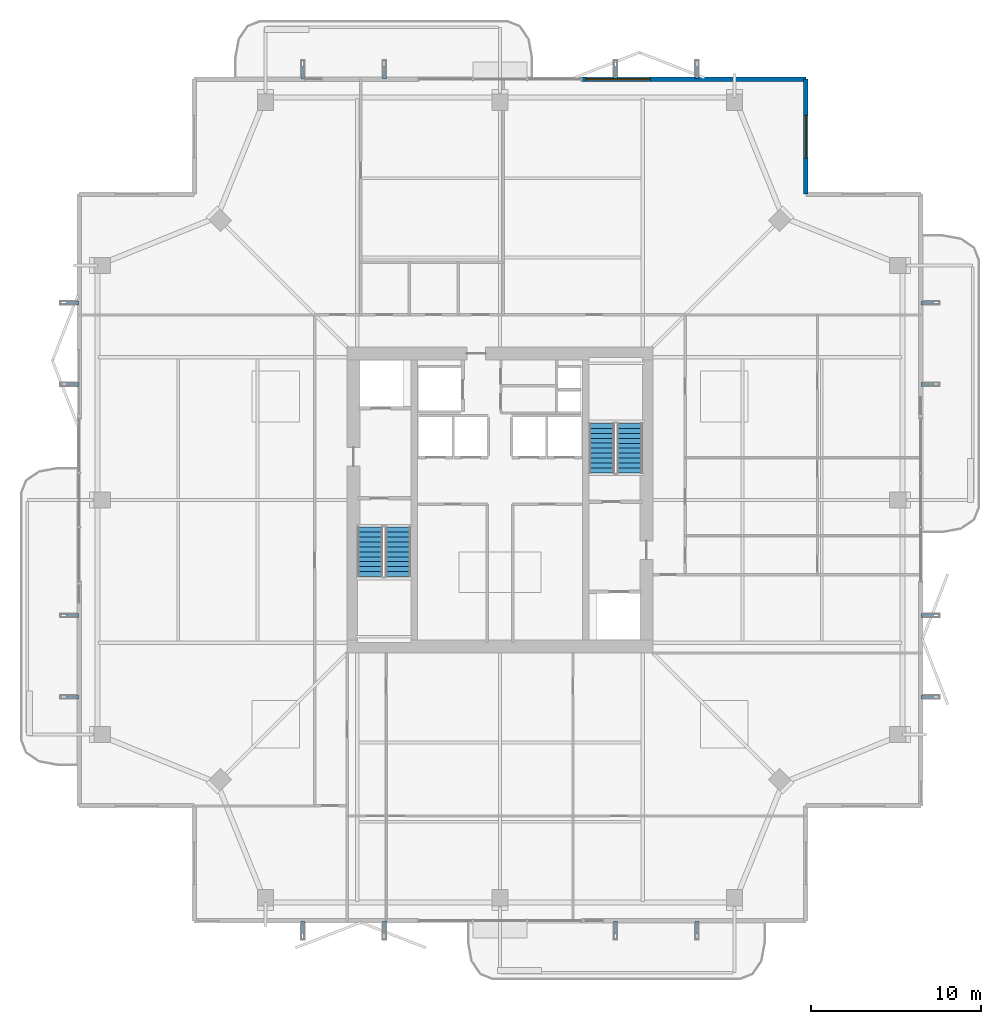
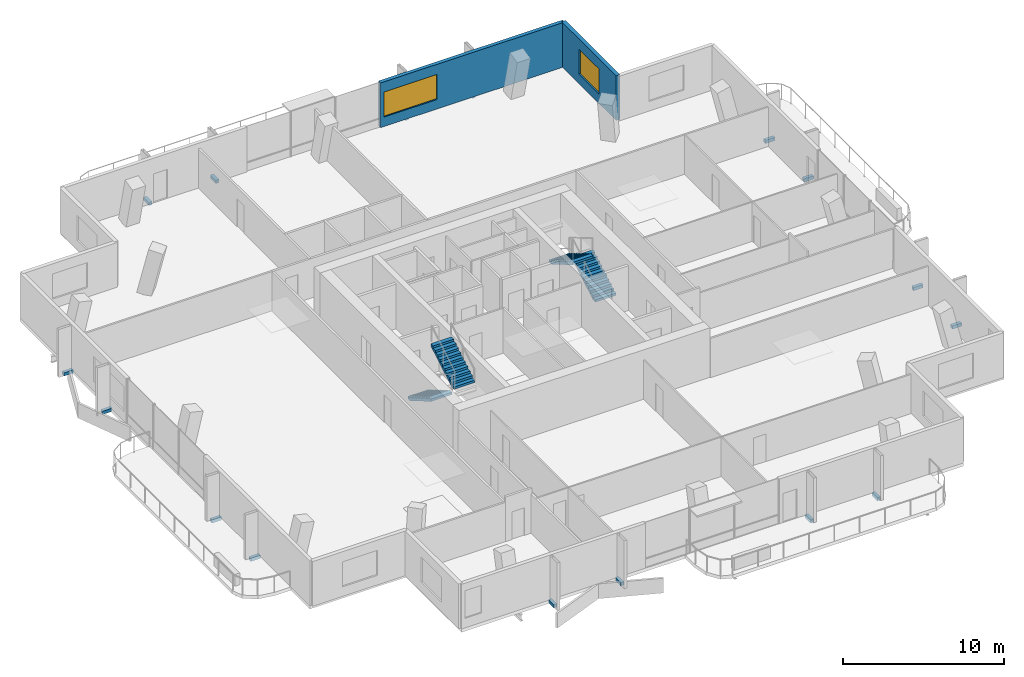
# One storey, part 21 of 25: 16 discrete accessories, 4 stair flights, 2 walls, 2 windows, 2 openings, 2 elements without a shape of their own.
"""IFC4 building model written with IfcOpenShell, lengths in metres."""

import ifcopenshell
import ifcopenshell.guid

model = None  # the IFC model being written
_history = None  # IfcOwnerHistory: only IFC2X3 demands one
_inside = {}  # id of a spatial element -> (the spatial element, [elements in it])
_under = {}  # id of a project, library or spatial element -> (it, [spatial elements below it])
_declared = {}  # id of a project -> (the project, [libraries it declares])
_typed = {}  # id of a type object -> (the type object, [elements of that type])
_made_of = {}  # id of a material, layer set ... -> (it, [elements and type objects made of it])


def new_model(schema):
    """Start an empty IFC model of exactly this schema.

    Asked for "IFC4X3", IfcOpenShell would pick the latest addendum, in which some entities
    have other attributes; the version numbers below select the first issue.
    IFC2X3 requires an IfcOwnerHistory on every rooted entity: one is made here for all.
    """
    global model, _history
    if schema == "IFC4X3":
        model = ifcopenshell.file(schema_version=(4, 3, 0, 0))
    else:
        model = ifcopenshell.file(schema=schema)
    _inside.clear()
    _under.clear()
    _declared.clear()
    _typed.clear()
    _made_of.clear()
    _history = None
    if model.schema == "IFC2X3":
        org = make("IfcOrganization", Name="unknown")
        user = make(
            "IfcPersonAndOrganization",
            ThePerson=make("IfcPerson", FamilyName="unknown"),
            TheOrganization=org,
        )
        app = make(
            "IfcApplication",
            ApplicationDeveloper=org,
            Version="unknown",
            ApplicationFullName="unknown",
            ApplicationIdentifier="unknown",
        )
        _history = make(
            "IfcOwnerHistory",
            OwningUser=user,
            OwningApplication=app,
            ChangeAction="ADDED",
            CreationDate=0,
        )
    return model


def make(cls, **values):
    """One entity of the class cls with the attributes given. An attribute that is None is left unset."""
    return model.create_entity(
        cls, **{name: value for name, value in values.items() if value is not None}
    )


def rooted(cls, **values):
    """An entity with a GlobalId (a new one), such as an element, a storey or a relation."""
    return make(cls, GlobalId=ifcopenshell.guid.new(), OwnerHistory=_history, **values)


def si_unit(unit_type, name, prefix=None):
    """IfcSIUnit, for example si_unit("LENGTHUNIT", "METRE", prefix="MILLI")."""
    return make("IfcSIUnit", UnitType=unit_type, Prefix=prefix, Name=name)


def assignment(units):
    """IfcUnitAssignment: the units of a project."""
    return None if units is None else make("IfcUnitAssignment", Units=units)


def point(xyz):
    """IfcCartesianPoint."""
    return None if xyz is None else make("IfcCartesianPoint", Coordinates=xyz)


def direction(xyz):
    """IfcDirection."""
    return None if xyz is None else make("IfcDirection", DirectionRatios=xyz)


def frame(location, z_axis=None, x_axis=None):
    """IfcAxis2Placement3D, a coordinate frame: its origin and axes. An axis left out is left unset."""
    return make(
        "IfcAxis2Placement3D",
        Location=point(location),
        Axis=direction(z_axis),
        RefDirection=direction(x_axis),
    )


def frame_2d(location, x_axis=None):
    """IfcAxis2Placement2D, a coordinate frame in the plane: its origin and x axis."""
    return make(
        "IfcAxis2Placement2D", Location=point(location), RefDirection=direction(x_axis)
    )


def origin():
    """The frame at (0, 0, 0) with its axes left unset."""
    return frame((0.0, 0.0, 0.0))


def origin_2d():
    """The frame at (0, 0) in the plane with its x axis left unset."""
    return frame_2d((0.0, 0.0))


def place(relative_to, where):
    """IfcLocalPlacement: puts the frame where relative to a parent placement (None: the world)."""
    return make(
        "IfcLocalPlacement", PlacementRelTo=relative_to, RelativePlacement=where
    )


def context(
    kind, dimensions, precision=None, world=None, true_north=None, identifier=None
):
    """IfcGeometricRepresentationContext, for example the 3D "Model" context."""
    return make(
        "IfcGeometricRepresentationContext",
        ContextIdentifier=identifier,
        ContextType=kind,
        CoordinateSpaceDimension=dimensions,
        Precision=precision,
        WorldCoordinateSystem=world,
        TrueNorth=true_north,
    )


def subcontext(parent, identifier, kind, view, scale=None):
    """IfcGeometricRepresentationSubContext, for example "Body" below "Model"."""
    return make(
        "IfcGeometricRepresentationSubContext",
        ContextIdentifier=identifier,
        ContextType=kind,
        ParentContext=parent,
        TargetScale=scale,
        TargetView=view,
    )


def project(units=None, contexts=None):
    """IfcProject with its units and contexts."""
    return rooted(
        "IfcProject",
        Name="project",
        RepresentationContexts=contexts,
        UnitsInContext=assignment(units),
    )


def spatial(cls, under=None, at=None, **own):
    """A site, building, storey or space (cls), placed at a placement, below another one or the project."""
    s = rooted(cls, ObjectPlacement=at, **own)
    if under is not None:
        _under.setdefault(under.id(), (under, []))[1].append(s)
    return s


def polyline(points):
    """IfcPolyline through the points."""
    return make("IfcPolyline", Points=[point(p) for p in points])


def profile(cls, at=None, kind="AREA", **sizes):
    """A parametric profile (cls). Its sizes go by their IFC names, for example OverallWidth=200.0."""
    return make(cls, ProfileType=kind, Position=at, **sizes)


def rectangle(**sizes):
    """IfcRectangleProfileDef."""
    return profile("IfcRectangleProfileDef", **sizes)


def outline(outer, holes=None, kind="AREA"):
    """IfcArbitraryClosedProfileDef: a profile drawn as a closed curve; with holes, ...WithVoids."""
    if holes is None:
        return make("IfcArbitraryClosedProfileDef", ProfileType=kind, OuterCurve=outer)
    return make(
        "IfcArbitraryProfileDefWithVoids",
        ProfileType=kind,
        OuterCurve=outer,
        InnerCurves=holes,
    )


def extrude(swept, where, along, depth):
    """IfcExtrudedAreaSolid: the profile swept, set in the frame where, extruded along a direction by depth."""
    return make(
        "IfcExtrudedAreaSolid",
        SweptArea=swept,
        Position=where,
        ExtrudedDirection=direction(along),
        Depth=depth,
    )


def shape(context_of_items, identifier, shape_type, items):
    """IfcShapeRepresentation: the items that make up one representation, for example the "Body"."""
    return make(
        "IfcShapeRepresentation",
        ContextOfItems=context_of_items,
        RepresentationIdentifier=identifier,
        RepresentationType=shape_type,
        Items=items,
    )


def material(Name=None, Category=None):
    """IfcMaterial."""
    return make("IfcMaterial", Name=Name, Category=Category)


def layer(
    of_material, thickness, ventilated=None, Name=None, Category=None, Priority=None
):
    """IfcMaterialLayer: one layer of a wall or slab, of a material (None: an air gap)."""
    return make(
        "IfcMaterialLayer",
        Material=of_material,
        LayerThickness=thickness,
        IsVentilated=ventilated,
        Name=Name,
        Category=Category,
        Priority=Priority,
    )


def layer_set(layers, Name=None):
    """IfcMaterialLayerSet."""
    return make("IfcMaterialLayerSet", MaterialLayers=layers, LayerSetName=Name)


def made_of(thing, what):
    """Note that an element or type object is made of a material, layer set ...; save() writes the relation."""
    if what is not None:
        _made_of.setdefault(what.id(), (what, []))[1].append(thing)
    return thing


def type_object(cls, material=None, **own):
    """A type object (cls), such as IfcWallType, which elements share."""
    return made_of(rooted(cls, **own), material)


def element(
    cls,
    number,
    at=None,
    inside=None,
    cuts=None,
    type_object=None,
    material=None,
    context=None,
    identifier="Body",
    shape_type=None,
    held_by="IfcProductDefinitionShape",
    body=None,
    shapes=None,
    **own,
):
    """One element of the class cls, such as IfcWall. Its Tag is "e" and its number.

    at: its placement. inside: the storey or other place that contains it. cuts: it is an
    opening in that element (IfcRelVoidsElement). A single representation is given by context,
    identifier, shape_type and body (its items); several are given by shapes. held_by: the class
    of the entity that holds the representations. save() writes the other relations.
    """
    e = rooted(cls, Tag="e%d" % number, ObjectPlacement=at, **own)
    if body is not None:
        shapes = [shape(context, identifier, shape_type, body)]
    if shapes is not None:
        e.Representation = make(held_by, Representations=shapes)
    if inside is not None:
        _inside.setdefault(inside.id(), (inside, []))[1].append(e)
    if cuts is not None:
        rooted(
            "IfcRelVoidsElement", RelatingBuildingElement=cuts, RelatedOpeningElement=e
        )
    if type_object is not None:
        _typed.setdefault(type_object.id(), (type_object, []))[1].append(e)
    return made_of(e, material)


def fill(opening, filler):
    """IfcRelFillsElement: the door or window that sits in an opening."""
    return rooted(
        "IfcRelFillsElement",
        RelatingOpeningElement=opening,
        RelatedBuildingElement=filler,
    )


def aggregate(whole, parts):
    """IfcRelAggregates: a whole, such as a stair, and the parts it consists of."""
    return rooted("IfcRelAggregates", RelatingObject=whole, RelatedObjects=parts)


def save(model, path):
    """Write the relations noted so far, then the file.

    IfcRelAggregates (storeys below a building ...), IfcRelContainedInSpatialStructure (elements
    in a storey), IfcRelDefinesByType, IfcRelAssociatesMaterial and IfcRelDeclares: one each for
    every whole, place, type object, material and project.
    """
    for whole, parts in _under.values():
        aggregate(whole, parts)
    for where, things in _inside.values():
        rooted(
            "IfcRelContainedInSpatialStructure",
            RelatedElements=things,
            RelatingStructure=where,
        )
    for kind, things in _typed.values():
        rooted("IfcRelDefinesByType", RelatedObjects=things, RelatingType=kind)
    for what, things in _made_of.values():
        rooted("IfcRelAssociatesMaterial", RelatedObjects=things, RelatingMaterial=what)
    for by, libraries in _declared.values():
        rooted("IfcRelDeclares", RelatingContext=by, RelatedDefinitions=libraries)
    model.write(path)


model = new_model("IFC4")

# Units and contexts
model_context = context("Model", 3, precision=1e-05, world=origin(), true_north=direction((0.0, 1.0)))
body_context = subcontext(model_context, "Body", "Model", "MODEL_VIEW")
ifc_project = project(units=[si_unit("LENGTHUNIT", "METRE"), si_unit("AREAUNIT", "SQUARE_METRE"), si_unit("VOLUMEUNIT", "CUBIC_METRE"), si_unit("PLANEANGLEUNIT", "RADIAN"), si_unit("MASSUNIT", "GRAM", prefix="KILO")], contexts=[model_context])

# Site, building, storey
site_placement = place(None, origin())
site = spatial("IfcSite", under=ifc_project, at=site_placement, CompositionType="ELEMENT")
building_placement = place(site_placement, origin())
building = spatial("IfcBuilding", under=site, at=building_placement, Name="Belovzor Exchange Tower", CompositionType="ELEMENT")
storey_placement = place(building_placement, frame((0.0, 0.0, 280.35009765625)))
storey = spatial("IfcBuildingStorey", under=building, at=storey_placement, Name="L70", CompositionType="ELEMENT", Elevation=280.35009765625)

# Wall, opening, window
ifc_material_1 = material(Name="Precast concrete C40/50", Category="concrete")
ifc_layer_1 = layer(ifc_material_1, 0.280029296875)
ifc_layer_set_1 = layer_set([ifc_layer_1], Name="Precast concrete C40/50")
wall_type_1 = type_object("IfcWallType", Name="Precast Concrete Notched Corner Frame Wall 280", PredefinedType="SOLIDWALL", material=ifc_layer_set_1)
wall_1_placement = place(storey_placement, frame((46.800048828125, 53.570068359375, 0.0), z_axis=(0.0, 0.0, 1.0), x_axis=(0.0, -1.0, 0.0)))
wall_1 = element("IfcWall", 1, at=wall_1_placement, inside=storey, type_object=wall_type_1, Name="W-CRN280 Precast Concrete Notched Corner Frame Wall 280 L70", PredefinedType="SOLIDWALL", context=body_context, shape_type="SweptSolid", body=[
    extrude(rectangle(XDim=6.77001953125, YDim=0.280029296875, at=frame_2d((3.385009765625, 0.0))), origin(), (0.0, 0.0, 1.0), 3.389892578125),
])
opening_1_placement = place(wall_1_placement, frame((2.135009765625, 0.0, 0.719970703125)))
opening_1 = element("IfcOpeningElement", 2, at=opening_1_placement, cuts=wall_1, Name="Opening WN-CRN250", PredefinedType="OPENING", context=body_context, shape_type="SweptSolid", body=[
    extrude(rectangle(XDim=2.5, YDim=1.89990234375, at=frame_2d((1.25, 0.949951171875))), frame((0.0, 0.14990234375, 0.0), z_axis=(0.0, -1.0, 0.0), x_axis=(1.0, 0.0, 0.0)), (0.0, 0.0, 1.0), 0.300048828125),
])
ifc_material_2 = material(Name="Thermally Broken Aluminium and Triple Glazing", Category="aluminium")
window_type_1 = type_object("IfcWindowType", Name="Streamline Moderne Corner Wrap Ribbon Window 2500x1900", PartitioningType="SINGLE_PANEL", PredefinedType="WINDOW", material=ifc_material_2)
window_1_placement = place(opening_1_placement, origin())
window_1 = element("IfcWindow", 3, at=window_1_placement, inside=storey, type_object=window_type_1, Name="WN-CRN250 Streamline Moderne Corner Wrap Ribbon Window 2500x1900", OverallHeight=1.89990234375, OverallWidth=2.5, PartitioningType="SINGLE_PANEL", PredefinedType="WINDOW", context=body_context, shape_type="SweptSolid", body=[
    extrude(rectangle(XDim=2.5, YDim=1.89990234375, at=frame_2d((1.25, 0.949951171875))), frame((0.0, 0.030029296875, 0.0), z_axis=(0.0, -1.0, 0.0), x_axis=(1.0, 0.0, 0.0)), (0.0, 0.0, 1.0), 0.06005859375),
])
fill(opening_1, window_1)

ifc_material_3 = material(Name="Precast concrete C40/50", Category="concrete")
ifc_layer_2 = layer(ifc_material_3, 0.260009765625)
ifc_layer_set_2 = layer_set([ifc_layer_2], Name="Precast concrete C40/50")
wall_type_2 = type_object("IfcWallType", Name="Precast Concrete Perimeter Loggia Frame Wall 260", PredefinedType="SOLIDWALL", material=ifc_layer_set_2)
wall_2_placement = place(storey_placement, frame((33.60009765625, 53.570068359375, 0.0), z_axis=(0.0, 0.0, 1.0), x_axis=(1.0, 0.0, 0.0)))
wall_2 = element("IfcWall", 4, at=wall_2_placement, inside=storey, type_object=wall_type_2, Name="W-EXT260 Precast Concrete Perimeter Loggia Frame Wall 260 L70", PredefinedType="SOLIDWALL", context=body_context, shape_type="SweptSolid", body=[
    extrude(rectangle(XDim=13.199951171875, YDim=0.260009765625, at=frame_2d((6.60009765625, 0.0))), origin(), (0.0, 0.0, 1.0), 3.389892578125),
])
opening_2_placement = place(wall_2_placement, frame((0.25, 0.0, 0.719970703125)))
opening_2 = element("IfcOpeningElement", 5, at=opening_2_placement, cuts=wall_2, Name="Opening WN-RIB380", PredefinedType="OPENING", context=body_context, shape_type="SweptSolid", body=[
    extrude(rectangle(XDim=3.800048828125, YDim=1.89990234375, at=frame_2d((1.89990234375, 0.949951171875))), frame((0.0, 0.139892578125, 0.0), z_axis=(0.0, -1.0, 0.0), x_axis=(1.0, 0.0, 0.0)), (0.0, 0.0, 1.0), 0.280029296875),
])
ifc_material_4 = material(Name="Thermally Broken Aluminium and Triple Glazing", Category="aluminium")
window_type_2 = type_object("IfcWindowType", Name="Streamline Moderne Horizontal Ribbon Window 3800x1900", PartitioningType="SINGLE_PANEL", PredefinedType="WINDOW", material=ifc_material_4)
window_2_placement = place(opening_2_placement, origin())
window_2 = element("IfcWindow", 6, at=window_2_placement, inside=storey, type_object=window_type_2, Name="WN-RIB380 Streamline Moderne Horizontal Ribbon Window 3800x1900", OverallHeight=1.89990234375, OverallWidth=3.800048828125, PartitioningType="SINGLE_PANEL", PredefinedType="WINDOW", context=body_context, shape_type="SweptSolid", body=[
    extrude(rectangle(XDim=3.800048828125, YDim=1.89990234375, at=frame_2d((1.89990234375, 0.949951171875))), frame((0.0, 0.030029296875, 0.0), z_axis=(0.0, -1.0, 0.0), x_axis=(1.0, 0.0, 0.0)), (0.0, 0.0, 1.0), 0.06005859375),
])
fill(opening_2, window_2)

# Stair, stair flights
ifc_material_5 = material(Name="Concrete C40/50", Category="concrete")
stair_type = type_object("IfcStairType", Name="Reinforced Concrete Dogleg Escape Stair 1350", PredefinedType="HALF_TURN_STAIR", material=ifc_material_5)
stair_1_placement = place(storey_placement, origin())
stair_1 = element("IfcStair", 7, at=stair_1_placement, inside=storey, type_object=stair_type, Name="L70 ST-1", PredefinedType="HALF_TURN_STAIR")
ifc_material_6 = material(Name="Concrete C40/50", Category="concrete")
stair_flight_type = type_object("IfcStairFlightType", Name="Reinforced Concrete Stair Flight 1350", PredefinedType="STRAIGHT", material=ifc_material_6)
stair_flight_1_placement = place(storey_placement, frame((21.14990234375, 27.199951171875, 0.0), z_axis=(0.0, 0.0, 1.0), x_axis=(0.0, -1.0, 0.0)))
stair_flight_1 = element("IfcStairFlight", 8, at=stair_flight_1_placement, type_object=stair_flight_type, Name="ST-1 flight 1", NumberOfRisers=11, NumberOfTreads=10, PredefinedType="STRAIGHT", RiserHeight=0.170454545, TreadLength=0.29, context=body_context, shape_type="SweptSolid", body=[
    extrude(outline(polyline([(0.0, 0.0), (0.0, 0.17041015625), (0.2900390625, 0.17041015625), (0.2900390625, 0.3408203125), (0.580078125, 0.3408203125), (0.580078125, 0.511474609375), (0.8701171875, 0.511474609375), (0.8701171875, 0.681884765625), (1.159912109375, 0.681884765625), (1.159912109375, 0.852294921875), (1.449951171875, 0.852294921875), (1.449951171875, 1.022705078125), (1.739990234375, 1.022705078125), (1.739990234375, 1.193115234375), (2.030029296875, 1.193115234375), (2.030029296875, 1.363525390625), (2.320068359375, 1.363525390625), (2.320068359375, 1.5341796875), (2.610107421875, 1.5341796875), (2.610107421875, 1.70458984375), (2.89990234375, 1.70458984375), (2.89990234375, 1.875), (2.89990234375, 1.53076171875), (0.2958984375, 0.0), (0.0, 0.0)])), frame((0.0, 0.75, 0.0), z_axis=(0.0, -1.0, 0.0), x_axis=(1.0, 0.0, 0.0)), (0.0, 0.0, 1.0), 1.5),
])
stair_flight_2_placement = place(storey_placement, frame((22.800048828125, 24.300048828125, 1.875), z_axis=(0.0, 0.0, 1.0), x_axis=(0.0, 1.0, 0.0)))
stair_flight_2 = element("IfcStairFlight", 9, at=stair_flight_2_placement, type_object=stair_flight_type, Name="ST-1 flight 2", NumberOfRisers=11, NumberOfTreads=10, PredefinedType="STRAIGHT", RiserHeight=0.170454545, TreadLength=0.29, context=body_context, shape_type="SweptSolid", body=[
    extrude(outline(polyline([(0.0, 0.0), (0.0, 0.17041015625), (0.2900390625, 0.17041015625), (0.2900390625, 0.3408203125), (0.580078125, 0.3408203125), (0.580078125, 0.511474609375), (0.8701171875, 0.511474609375), (0.8701171875, 0.681884765625), (1.159912109375, 0.681884765625), (1.159912109375, 0.852294921875), (1.449951171875, 0.852294921875), (1.449951171875, 1.022705078125), (1.739990234375, 1.022705078125), (1.739990234375, 1.193115234375), (2.030029296875, 1.193115234375), (2.030029296875, 1.363525390625), (2.320068359375, 1.363525390625), (2.320068359375, 1.5341796875), (2.610107421875, 1.5341796875), (2.610107421875, 1.70458984375), (2.89990234375, 1.70458984375), (2.89990234375, 1.875), (2.89990234375, 1.53076171875), (0.2958984375, 0.0), (0.0, 0.0)])), frame((0.0, 0.75, 0.0), z_axis=(0.0, -1.0, 0.0), x_axis=(1.0, 0.0, 0.0)), (0.0, 0.0, 1.0), 1.5),
])
aggregate(stair_1, [stair_flight_1, stair_flight_2])

stair_2_placement = place(storey_placement, origin())
stair_2 = element("IfcStair", 10, at=stair_2_placement, inside=storey, type_object=stair_type, Name="L70 ST-2", PredefinedType="HALF_TURN_STAIR")
stair_flight_3_placement = place(storey_placement, frame((36.449951171875, 30.39990234375, 0.0), z_axis=(0.0, 0.0, 1.0), x_axis=(0.0, 1.0, 0.0)))
stair_flight_3 = element("IfcStairFlight", 11, at=stair_flight_3_placement, type_object=stair_flight_type, Name="ST-2 flight 1", NumberOfRisers=11, NumberOfTreads=10, PredefinedType="STRAIGHT", RiserHeight=0.170454545, TreadLength=0.29, context=body_context, shape_type="SweptSolid", body=[
    extrude(outline(polyline([(0.0, 0.0), (0.0, 0.17041015625), (0.2900390625, 0.17041015625), (0.2900390625, 0.3408203125), (0.580078125, 0.3408203125), (0.580078125, 0.511474609375), (0.8701171875, 0.511474609375), (0.8701171875, 0.681884765625), (1.159912109375, 0.681884765625), (1.159912109375, 0.852294921875), (1.449951171875, 0.852294921875), (1.449951171875, 1.022705078125), (1.739990234375, 1.022705078125), (1.739990234375, 1.193115234375), (2.030029296875, 1.193115234375), (2.030029296875, 1.363525390625), (2.320068359375, 1.363525390625), (2.320068359375, 1.5341796875), (2.610107421875, 1.5341796875), (2.610107421875, 1.70458984375), (2.89990234375, 1.70458984375), (2.89990234375, 1.875), (2.89990234375, 1.53076171875), (0.2958984375, 0.0), (0.0, 0.0)])), frame((0.0, 0.75, 0.0), z_axis=(0.0, -1.0, 0.0), x_axis=(1.0, 0.0, 0.0)), (0.0, 0.0, 1.0), 1.5),
])
stair_flight_4_placement = place(storey_placement, frame((34.800048828125, 33.300048828125, 1.875), z_axis=(0.0, 0.0, 1.0), x_axis=(0.0, -1.0, 0.0)))
stair_flight_4 = element("IfcStairFlight", 12, at=stair_flight_4_placement, type_object=stair_flight_type, Name="ST-2 flight 2", NumberOfRisers=11, NumberOfTreads=10, PredefinedType="STRAIGHT", RiserHeight=0.170454545, TreadLength=0.29, context=body_context, shape_type="SweptSolid", body=[
    extrude(outline(polyline([(0.0, 0.0), (0.0, 0.17041015625), (0.2900390625, 0.17041015625), (0.2900390625, 0.3408203125), (0.580078125, 0.3408203125), (0.580078125, 0.511474609375), (0.8701171875, 0.511474609375), (0.8701171875, 0.681884765625), (1.159912109375, 0.681884765625), (1.159912109375, 0.852294921875), (1.449951171875, 0.852294921875), (1.449951171875, 1.022705078125), (1.739990234375, 1.022705078125), (1.739990234375, 1.193115234375), (2.030029296875, 1.193115234375), (2.030029296875, 1.363525390625), (2.320068359375, 1.363525390625), (2.320068359375, 1.5341796875), (2.610107421875, 1.5341796875), (2.610107421875, 1.70458984375), (2.89990234375, 1.70458984375), (2.89990234375, 1.875), (2.89990234375, 1.53076171875), (0.2958984375, 0.0), (0.0, 0.0)])), frame((0.0, 0.75, 0.0), z_axis=(0.0, -1.0, 0.0), x_axis=(1.0, 0.0, 0.0)), (0.0, 0.0, 1.0), 1.5),
])
aggregate(stair_2, [stair_flight_3, stair_flight_4])

# Discrete accessories
ifc_material_7 = material(Name="Stainless Steel Grade 316", Category="steel")
ifc_layer_3 = layer(ifc_material_7, 0.179931640625)
ifc_layer_set_3 = layer_set([ifc_layer_3], Name="Stainless Steel Grade 316")
discrete_accessory_type = type_object("IfcDiscreteAccessoryType", Name="Stainless Steel Facade Outrigger Fixing Bracket", PredefinedType="BRACKET", material=ifc_layer_set_3)
for number, where, z_axis, x_axis, name in (
    (13, (17.199951171875, 3.637939453125, -0.2451171875), (0.0, 0.0, 1.0), (0.0, 1.0, 0.0), "BRK-FIN1 Sweeping Fin Outrigger Bracket L70 S1"),
    (14, (17.199951171875, 53.9619140625, -0.2451171875), (0.0, 0.0, 1.0), (0.0, 1.0, 0.0), "BRK-FIN1 Sweeping Fin Outrigger Bracket L70 N1"),
    (15, (3.637939453125, 17.199951171875, -0.2451171875), (0.0, 0.0, 1.0), (1.0, 0.0, 0.0), "BRK-FIN1 Sweeping Fin Outrigger Bracket L70 W1"),
    (16, (53.9619140625, 17.199951171875, -0.2451171875), (0.0, 0.0, 1.0), (1.0, 0.0, 0.0), "BRK-FIN1 Sweeping Fin Outrigger Bracket L70 E1"),
    (17, (22.0, 3.637939453125, -0.2451171875), (0.0, 0.0, 1.0), (0.0, 1.0, 0.0), "BRK-FIN1 Sweeping Fin Outrigger Bracket L70 S2"),
    (18, (22.0, 53.9619140625, -0.2451171875), (0.0, 0.0, 1.0), (0.0, 1.0, 0.0), "BRK-FIN1 Sweeping Fin Outrigger Bracket L70 N2"),
    (19, (3.637939453125, 22.0, -0.2451171875), (0.0, 0.0, 1.0), (1.0, 0.0, 0.0), "BRK-FIN1 Sweeping Fin Outrigger Bracket L70 W2"),
    (20, (53.9619140625, 22.0, -0.2451171875), (0.0, 0.0, 1.0), (1.0, 0.0, 0.0), "BRK-FIN1 Sweeping Fin Outrigger Bracket L70 E2"),
    (21, (35.60009765625, 3.637939453125, -0.2451171875), (0.0, 0.0, 1.0), (0.0, 1.0, 0.0), "BRK-FIN1 Sweeping Fin Outrigger Bracket L70 S3"),
    (22, (35.60009765625, 53.9619140625, -0.2451171875), (0.0, 0.0, 1.0), (0.0, 1.0, 0.0), "BRK-FIN1 Sweeping Fin Outrigger Bracket L70 N3"),
    (23, (3.637939453125, 35.60009765625, -0.2451171875), (0.0, 0.0, 1.0), (1.0, 0.0, 0.0), "BRK-FIN1 Sweeping Fin Outrigger Bracket L70 W3"),
    (24, (53.9619140625, 35.60009765625, -0.2451171875), (0.0, 0.0, 1.0), (1.0, 0.0, 0.0), "BRK-FIN1 Sweeping Fin Outrigger Bracket L70 E3"),
    (25, (40.39990234375, 3.637939453125, -0.2451171875), (0.0, 0.0, 1.0), (0.0, 1.0, 0.0), "BRK-FIN1 Sweeping Fin Outrigger Bracket L70 S4"),
    (26, (40.39990234375, 53.9619140625, -0.2451171875), (0.0, 0.0, 1.0), (0.0, 1.0, 0.0), "BRK-FIN1 Sweeping Fin Outrigger Bracket L70 N4"),
    (27, (3.637939453125, 40.39990234375, -0.2451171875), (0.0, 0.0, 1.0), (1.0, 0.0, 0.0), "BRK-FIN1 Sweeping Fin Outrigger Bracket L70 W4"),
    (28, (53.9619140625, 40.39990234375, -0.2451171875), (0.0, 0.0, 1.0), (1.0, 0.0, 0.0), "BRK-FIN1 Sweeping Fin Outrigger Bracket L70 E4"),
):
    element("IfcDiscreteAccessory", number, at=place(storey_placement, frame(where, z_axis=z_axis, x_axis=x_axis)), inside=storey, type_object=discrete_accessory_type, Name=name, PredefinedType="BRACKET", context=body_context, shape_type="SweptSolid", body=[
        extrude(rectangle(XDim=0.68505859375, YDim=0.239990234375, at=origin_2d()), origin(), (0.0, 0.0, 1.0), 0.239990234375),
    ])

save(model, "model.ifc")
